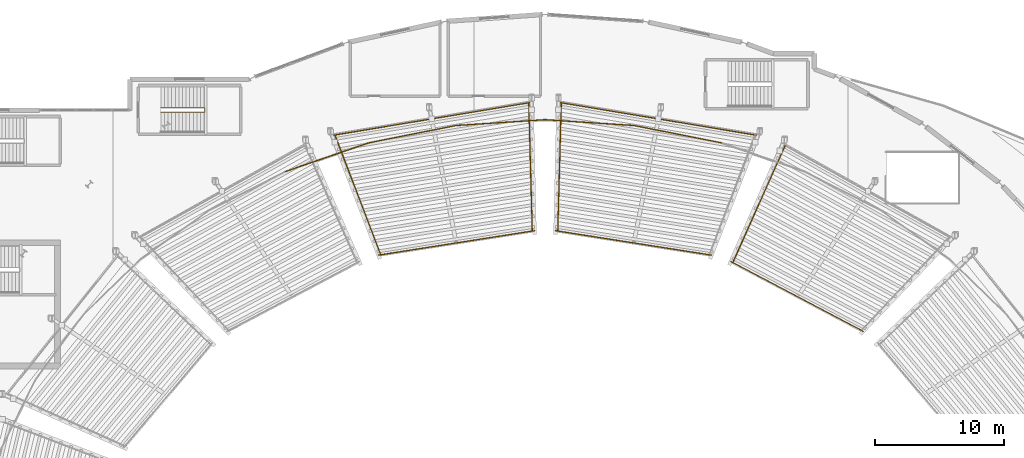
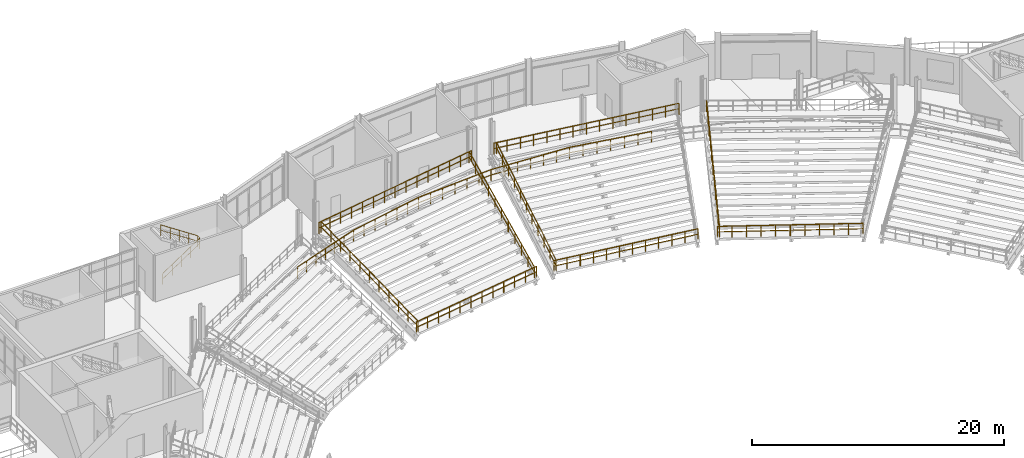
# One storey, part 77 of 81: 15 railings.
"""IFC4 building model written with IfcOpenShell, lengths in metres."""

from ifc_helpers import new_model, si_unit, direction, frame, origin, origin_2d, place, context, subcontext, project, spatial, circle, extrude, material, type_object, element, save


model = new_model("IFC4")

# Units and contexts
model_context = context("Model", 3, precision=1e-05, world=origin(), true_north=direction((0.0, 1.0)))
body_context = subcontext(model_context, "Body", "Model", "MODEL_VIEW")
ifc_project = project(units=[si_unit("LENGTHUNIT", "METRE"), si_unit("AREAUNIT", "SQUARE_METRE"), si_unit("VOLUMEUNIT", "CUBIC_METRE"), si_unit("PLANEANGLEUNIT", "RADIAN"), si_unit("MASSUNIT", "GRAM", prefix="KILO")], contexts=[model_context])

# Site, building, storey
site_placement = place(None, origin())
site = spatial("IfcSite", under=ifc_project, at=site_placement, CompositionType="ELEMENT")
building_placement = place(site_placement, origin())
building = spatial("IfcBuilding", under=site, at=building_placement, Name="Glasvene Arena", CompositionType="ELEMENT")
storey_placement = place(building_placement, frame((0.0, 0.0, 15.0)))
storey = spatial("IfcBuildingStorey", under=building, at=storey_placement, Name="L03", CompositionType="ELEMENT", Elevation=15.0)

# Railings
ifc_material = material(Name="Brushed stainless steel", Category="steel")
railing_type = type_object("IfcRailingType", Name="RL-GUARD-1100", PredefinedType="GUARDRAIL", material=ifc_material)
railing_1_placement = place(storey_placement, frame((62.199951171875, 110.409912109375, 0.0)))
element("IfcRailing", 1, at=railing_1_placement, inside=storey, type_object=railing_type, Name="Stair inner well continuous guardrail ST-10-L03", PredefinedType="GUARDRAIL", context=body_context, shape_type="SweptSolid", body=[
    extrude(circle(Radius=0.02392578125, at=origin_2d()), frame((0.0, 0.0, 1.076171875), z_axis=(0.833943147616, 0.0, 0.551850366082), x_axis=(0.0, 1.0, 0.0)), (0.0, 0.0, 1.0), 4.0771484375),
    extrude(circle(Radius=0.01611328125, at=origin_2d()), frame((0.0, 0.0, 0.550048828125), z_axis=(0.833943147616, 0.0, 0.551850366082), x_axis=(0.0, 1.0, 0.0)), (0.0, 0.0, 1.0), 4.0771484375),
    extrude(circle(Radius=0.02392578125, at=origin_2d()), frame((3.400146484375, 0.0, 3.326171875), z_axis=(0.0, 1.0, 0.0), x_axis=(-1.0, 0.0, 0.0)), (0.0, 0.0, 1.0), 0.330078125),
    extrude(circle(Radius=0.01611328125, at=origin_2d()), frame((3.400146484375, 0.0, 2.800048828125), z_axis=(0.0, 1.0, 0.0), x_axis=(-1.0, 0.0, 0.0)), (0.0, 0.0, 1.0), 0.330078125),
    extrude(circle(Radius=0.02392578125, at=origin_2d()), frame((3.400146484375, 0.330078125, 3.326171875), z_axis=(-0.833943147616, 0.0, 0.551850366082), x_axis=(0.0, -1.0, 0.0)), (0.0, 0.0, 1.0), 4.0771484375),
    extrude(circle(Radius=0.01611328125, at=origin_2d()), frame((3.400146484375, 0.330078125, 2.800048828125), z_axis=(-0.833943147616, 0.0, 0.551850366082), x_axis=(0.0, -1.0, 0.0)), (0.0, 0.0, 1.0), 4.0771484375),
    extrude(circle(Radius=0.02099609375, at=origin_2d()), origin(), (0.0, 0.0, 1.0), 1.052001953125),
    extrude(circle(Radius=0.02099609375, at=origin_2d()), frame((0.85009765625, 0.0, 0.5625)), (0.0, 0.0, 1.0), 1.052001953125),
    extrude(circle(Radius=0.02099609375, at=origin_2d()), frame((1.7001953125, 0.0, 1.125)), (0.0, 0.0, 1.0), 1.052001953125),
    extrude(circle(Radius=0.02099609375, at=origin_2d()), frame((2.550048828125, 0.0, 1.6875)), (0.0, 0.0, 1.0), 1.052001953125),
    extrude(circle(Radius=0.02099609375, at=origin_2d()), frame((3.400146484375, 0.0, 2.25)), (0.0, 0.0, 1.0), 1.052001953125),
    extrude(circle(Radius=0.02099609375, at=origin_2d()), frame((3.400146484375, 0.330078125, 2.25)), (0.0, 0.0, 1.0), 1.052001953125),
    extrude(circle(Radius=0.02099609375, at=origin_2d()), frame((2.550048828125, 0.330078125, 2.8125)), (0.0, 0.0, 1.0), 1.052001953125),
    extrude(circle(Radius=0.02099609375, at=origin_2d()), frame((1.7001953125, 0.330078125, 3.375)), (0.0, 0.0, 1.0), 1.052001953125),
    extrude(circle(Radius=0.02099609375, at=origin_2d()), frame((0.85009765625, 0.330078125, 3.9375)), (0.0, 0.0, 1.0), 1.052001953125),
    extrude(circle(Radius=0.02099609375, at=origin_2d()), frame((0.0, 0.330078125, 4.5)), (0.0, 0.0, 1.0), 1.052001953125),
])
railing_2_placement = place(storey_placement, frame((105.695556640625, 108.017822265625, 0.0)))
element("IfcRailing", 2, at=railing_2_placement, inside=storey, type_object=railing_type, Name="Safety guardrail GD-BWL-L03-009", PredefinedType="GUARDRAIL", context=body_context, shape_type="SweptSolid", body=[
    extrude(circle(Radius=0.02392578125, at=origin_2d()), frame((0.0, 0.0, 1.076171875), z_axis=(-0.980681314144, 0.19561226978, 0.0), x_axis=(-0.19561226978, -0.980681314144, 0.0)), (0.0, 0.0, 1.0), 6.895751953125),
    extrude(circle(Radius=0.01611328125, at=origin_2d()), frame((0.0, 0.0, 0.550048828125), z_axis=(-0.980681314144, 0.19561226978, 0.0), x_axis=(-0.19561226978, -0.980681314144, 0.0)), (0.0, 0.0, 1.0), 6.895751953125),
    extrude(circle(Radius=0.02099609375, at=origin_2d()), origin(), (0.0, 0.0, 1.0), 1.052001953125),
    extrude(circle(Radius=0.02099609375, at=origin_2d()), frame((-1.126953125, 0.224853515625, 0.0)), (0.0, 0.0, 1.0), 1.052001953125),
    extrude(circle(Radius=0.02099609375, at=origin_2d()), frame((-2.254150390625, 0.44970703125, 0.0)), (0.0, 0.0, 1.0), 1.052001953125),
    extrude(circle(Radius=0.02099609375, at=origin_2d()), frame((-3.38134765625, 0.67431640625, 0.0)), (0.0, 0.0, 1.0), 1.052001953125),
    extrude(circle(Radius=0.02099609375, at=origin_2d()), frame((-4.50830078125, 0.899169921875, 0.0)), (0.0, 0.0, 1.0), 1.052001953125),
    extrude(circle(Radius=0.02099609375, at=origin_2d()), frame((-5.63525390625, 1.1240234375, 0.0)), (0.0, 0.0, 1.0), 1.052001953125),
    extrude(circle(Radius=0.02099609375, at=origin_2d()), frame((-6.762451171875, 1.348876953125, 0.0)), (0.0, 0.0, 1.0), 1.052001953125),
])
railing_3_placement = place(storey_placement, frame((98.93310546875, 109.36669921875, 0.0)))
element("IfcRailing", 3, at=railing_3_placement, inside=storey, type_object=railing_type, Name="Safety guardrail GD-BWL-L03-010", PredefinedType="GUARDRAIL", context=body_context, shape_type="SweptSolid", body=[
    extrude(circle(Radius=0.02392578125, at=origin_2d()), frame((0.0, 0.0, 1.076171875), z_axis=(-0.997868780368, 0.065252564446, 0.0), x_axis=(-0.065252564446, -0.997868780368, 0.0)), (0.0, 0.0, 1.0), 6.947998046875),
    extrude(circle(Radius=0.01611328125, at=origin_2d()), frame((0.0, 0.0, 0.550048828125), z_axis=(-0.997868780368, 0.065252564446, 0.0), x_axis=(-0.065252564446, -0.997868780368, 0.0)), (0.0, 0.0, 1.0), 6.947998046875),
    extrude(circle(Radius=0.02099609375, at=origin_2d()), origin(), (0.0, 0.0, 1.0), 1.052001953125),
    extrude(circle(Radius=0.02099609375, at=origin_2d()), frame((-1.155517578125, 0.07568359375, 0.0)), (0.0, 0.0, 1.0), 1.052001953125),
    extrude(circle(Radius=0.02099609375, at=origin_2d()), frame((-2.31103515625, 0.151123046875, 0.0)), (0.0, 0.0, 1.0), 1.052001953125),
    extrude(circle(Radius=0.02099609375, at=origin_2d()), frame((-3.466552734375, 0.2265625, 0.0)), (0.0, 0.0, 1.0), 1.052001953125),
    extrude(circle(Radius=0.02099609375, at=origin_2d()), frame((-4.6220703125, 0.30224609375, 0.0)), (0.0, 0.0, 1.0), 1.052001953125),
    extrude(circle(Radius=0.02099609375, at=origin_2d()), frame((-5.777587890625, 0.3779296875, 0.0)), (0.0, 0.0, 1.0), 1.052001953125),
    extrude(circle(Radius=0.02099609375, at=origin_2d()), frame((-6.93310546875, 0.453369140625, 0.0)), (0.0, 0.0, 1.0), 1.052001953125),
])
railing_4_placement = place(storey_placement, frame((92.0, 109.820068359375, 0.0)))
element("IfcRailing", 4, at=railing_4_placement, inside=storey, type_object=railing_type, Name="Safety guardrail GD-BWL-L03-011", PredefinedType="GUARDRAIL", context=body_context, shape_type="SweptSolid", body=[
    extrude(circle(Radius=0.02392578125, at=origin_2d()), frame((0.0, 0.0, 1.076171875), z_axis=(-0.997868780368, -0.065252564446, 0.0), x_axis=(0.065252564446, -0.997868780368, 0.0)), (0.0, 0.0, 1.0), 6.947998046875),
    extrude(circle(Radius=0.01611328125, at=origin_2d()), frame((0.0, 0.0, 0.550048828125), z_axis=(-0.997868780368, -0.065252564446, 0.0), x_axis=(0.065252564446, -0.997868780368, 0.0)), (0.0, 0.0, 1.0), 6.947998046875),
    extrude(circle(Radius=0.02099609375, at=origin_2d()), origin(), (0.0, 0.0, 1.0), 1.052001953125),
    extrude(circle(Radius=0.02099609375, at=origin_2d()), frame((-1.155517578125, -0.07568359375, 0.0)), (0.0, 0.0, 1.0), 1.052001953125),
    extrude(circle(Radius=0.02099609375, at=origin_2d()), frame((-2.31103515625, -0.151123046875, 0.0)), (0.0, 0.0, 1.0), 1.052001953125),
    extrude(circle(Radius=0.02099609375, at=origin_2d()), frame((-3.466552734375, -0.2265625, 0.0)), (0.0, 0.0, 1.0), 1.052001953125),
    extrude(circle(Radius=0.02099609375, at=origin_2d()), frame((-4.6220703125, -0.30224609375, 0.0)), (0.0, 0.0, 1.0), 1.052001953125),
    extrude(circle(Radius=0.02099609375, at=origin_2d()), frame((-5.777587890625, -0.3779296875, 0.0)), (0.0, 0.0, 1.0), 1.052001953125),
    extrude(circle(Radius=0.02099609375, at=origin_2d()), frame((-6.93310546875, -0.453369140625, 0.0)), (0.0, 0.0, 1.0), 1.052001953125),
])
railing_5_placement = place(storey_placement, frame((85.06689453125, 109.36669921875, 0.0)))
element("IfcRailing", 5, at=railing_5_placement, inside=storey, type_object=railing_type, Name="Safety guardrail GD-BWL-L03-012", PredefinedType="GUARDRAIL", context=body_context, shape_type="SweptSolid", body=[
    extrude(circle(Radius=0.02392578125, at=origin_2d()), frame((0.0, 0.0, 1.076171875), z_axis=(-0.980681314144, -0.19561226978, 0.0), x_axis=(0.19561226978, -0.980681314144, 0.0)), (0.0, 0.0, 1.0), 6.895751953125),
    extrude(circle(Radius=0.01611328125, at=origin_2d()), frame((0.0, 0.0, 0.550048828125), z_axis=(-0.980681314144, -0.19561226978, 0.0), x_axis=(0.19561226978, -0.980681314144, 0.0)), (0.0, 0.0, 1.0), 6.895751953125),
    extrude(circle(Radius=0.02099609375, at=origin_2d()), origin(), (0.0, 0.0, 1.0), 1.052001953125),
    extrude(circle(Radius=0.02099609375, at=origin_2d()), frame((-1.126953125, -0.224853515625, 0.0)), (0.0, 0.0, 1.0), 1.052001953125),
    extrude(circle(Radius=0.02099609375, at=origin_2d()), frame((-2.254150390625, -0.44970703125, 0.0)), (0.0, 0.0, 1.0), 1.052001953125),
    extrude(circle(Radius=0.02099609375, at=origin_2d()), frame((-3.38134765625, -0.67431640625, 0.0)), (0.0, 0.0, 1.0), 1.052001953125),
    extrude(circle(Radius=0.02099609375, at=origin_2d()), frame((-4.50830078125, -0.899169921875, 0.0)), (0.0, 0.0, 1.0), 1.052001953125),
    extrude(circle(Radius=0.02099609375, at=origin_2d()), frame((-5.63525390625, -1.1240234375, 0.0)), (0.0, 0.0, 1.0), 1.052001953125),
    extrude(circle(Radius=0.02099609375, at=origin_2d()), frame((-6.762451171875, -1.348876953125, 0.0)), (0.0, 0.0, 1.0), 1.052001953125),
])
railing_6_placement = place(storey_placement, frame((78.304443359375, 108.017822265625, 0.0)))
element("IfcRailing", 6, at=railing_6_placement, inside=storey, type_object=railing_type, Name="Safety guardrail GD-BWL-L03-013", PredefinedType="GUARDRAIL", context=body_context, shape_type="SweptSolid", body=[
    extrude(circle(Radius=0.02392578125, at=origin_2d()), frame((0.0, 0.0, 1.076171875), z_axis=(-0.945585072806, -0.325374968437, 0.0), x_axis=(0.325374968437, -0.945585072806, 0.0)), (0.0, 0.0, 1.0), 6.795166015625),
    extrude(circle(Radius=0.01611328125, at=origin_2d()), frame((0.0, 0.0, 0.550048828125), z_axis=(-0.945585072806, -0.325374968437, 0.0), x_axis=(0.325374968437, -0.945585072806, 0.0)), (0.0, 0.0, 1.0), 6.795166015625),
    extrude(circle(Radius=0.02099609375, at=origin_2d()), origin(), (0.0, 0.0, 1.0), 1.052001953125),
    extrude(circle(Radius=0.02099609375, at=origin_2d()), frame((-1.07080078125, -0.368408203125, 0.0)), (0.0, 0.0, 1.0), 1.052001953125),
    extrude(circle(Radius=0.02099609375, at=origin_2d()), frame((-2.141845703125, -0.737060546875, 0.0)), (0.0, 0.0, 1.0), 1.052001953125),
    extrude(circle(Radius=0.02099609375, at=origin_2d()), frame((-3.212646484375, -1.10546875, 0.0)), (0.0, 0.0, 1.0), 1.052001953125),
    extrude(circle(Radius=0.02099609375, at=origin_2d()), frame((-4.283447265625, -1.473876953125, 0.0)), (0.0, 0.0, 1.0), 1.052001953125),
    extrude(circle(Radius=0.02099609375, at=origin_2d()), frame((-5.3544921875, -1.842529296875, 0.0)), (0.0, 0.0, 1.0), 1.052001953125),
    extrude(circle(Radius=0.02099609375, at=origin_2d()), frame((-6.42529296875, -2.2109375, 0.0)), (0.0, 0.0, 1.0), 1.052001953125),
])
railing_7_placement = place(storey_placement, frame((116.67822265625, 93.402099609375, -3.89990234375)))
element("IfcRailing", 7, at=railing_7_placement, inside=storey, type_object=railing_type, Name="Safety guardrail GD-TU-UF-03-001", PredefinedType="GUARDRAIL", context=body_context, shape_type="SweptSolid", body=[
    extrude(circle(Radius=0.02392578125, at=origin_2d()), frame((0.0, 0.0, 1.076171875), z_axis=(-0.884339402023, 0.466844537324, 0.0), x_axis=(-0.466844537324, -0.884339402023, 0.0)), (0.0, 0.0, 1.0), 11.60595703125),
    extrude(circle(Radius=0.01611328125, at=origin_2d()), frame((0.0, 0.0, 0.550048828125), z_axis=(-0.884339402023, 0.466844537324, 0.0), x_axis=(-0.466844537324, -0.884339402023, 0.0)), (0.0, 0.0, 1.0), 11.60595703125),
    extrude(circle(Radius=0.02099609375, at=origin_2d()), origin(), (0.0, 0.0, 1.0), 1.052001953125),
    extrude(circle(Radius=0.02099609375, at=origin_2d()), frame((-1.0263671875, 0.541748046875, 0.0)), (0.0, 0.0, 1.0), 1.052001953125),
    extrude(circle(Radius=0.02099609375, at=origin_2d()), frame((-2.052734375, 1.083740234375, 0.0)), (0.0, 0.0, 1.0), 1.052001953125),
    extrude(circle(Radius=0.02099609375, at=origin_2d()), frame((-3.0791015625, 1.62548828125, 0.0)), (0.0, 0.0, 1.0), 1.052001953125),
    extrude(circle(Radius=0.02099609375, at=origin_2d()), frame((-4.10546875, 2.167236328125, 0.0)), (0.0, 0.0, 1.0), 1.052001953125),
    extrude(circle(Radius=0.02099609375, at=origin_2d()), frame((-5.1318359375, 2.708984375, 0.0)), (0.0, 0.0, 1.0), 1.052001953125),
    extrude(circle(Radius=0.02099609375, at=origin_2d()), frame((-6.158203125, 3.2509765625, 0.0)), (0.0, 0.0, 1.0), 1.052001953125),
    extrude(circle(Radius=0.02099609375, at=origin_2d()), frame((-7.1845703125, 3.792724609375, 0.0)), (0.0, 0.0, 1.0), 1.052001953125),
    extrude(circle(Radius=0.02099609375, at=origin_2d()), frame((-8.2109375, 4.33447265625, 0.0)), (0.0, 0.0, 1.0), 1.052001953125),
    extrude(circle(Radius=0.02099609375, at=origin_2d()), frame((-9.2373046875, 4.87646484375, 0.0)), (0.0, 0.0, 1.0), 1.052001953125),
    extrude(circle(Radius=0.02099609375, at=origin_2d()), frame((-10.263671875, 5.418212890625, 0.0)), (0.0, 0.0, 1.0), 1.052001953125),
])
railing_8_placement = place(storey_placement, frame((106.590087890625, 98.790283203125, -3.89990234375)))
element("IfcRailing", 8, at=railing_8_placement, inside=storey, type_object=railing_type, Name="Upper tier radial aisle guard 03-2", PredefinedType="GUARDRAIL", context=body_context, shape_type="SweptSolid", body=[
    extrude(circle(Radius=0.02392578125, at=origin_2d()), frame((0.0, 0.0, 1.076171875), z_axis=(0.36011745781, 0.805531618618, 0.470567984447), x_axis=(-0.912924660078, 0.408128123292, 0.0)), (0.0, 0.0, 1.0), 11.219970703125),
    extrude(circle(Radius=0.01611328125, at=origin_2d()), frame((0.0, 0.0, 0.550048828125), z_axis=(0.36011745781, 0.805531618618, 0.470567984447), x_axis=(-0.912924660078, 0.408128123292, 0.0)), (0.0, 0.0, 1.0), 11.219970703125),
    extrude(circle(Radius=0.02099609375, at=origin_2d()), origin(), (0.0, 0.0, 1.0), 1.052001953125),
    extrude(circle(Radius=0.02099609375, at=origin_2d()), frame((0.404052734375, 0.90380859375, 0.528076171875)), (0.0, 0.0, 1.0), 1.052001953125),
    extrude(circle(Radius=0.02099609375, at=origin_2d()), frame((0.80810546875, 1.8076171875, 1.055908203125)), (0.0, 0.0, 1.0), 1.052001953125),
    extrude(circle(Radius=0.02099609375, at=origin_2d()), frame((1.212158203125, 2.71142578125, 1.583984375)), (0.0, 0.0, 1.0), 1.052001953125),
    extrude(circle(Radius=0.02099609375, at=origin_2d()), frame((1.6162109375, 3.615234375, 2.11181640625)), (0.0, 0.0, 1.0), 1.052001953125),
    extrude(circle(Radius=0.02099609375, at=origin_2d()), frame((2.020263671875, 4.51904296875, 2.639892578125)), (0.0, 0.0, 1.0), 1.052001953125),
    extrude(circle(Radius=0.02099609375, at=origin_2d()), frame((2.42431640625, 5.4228515625, 3.16796875)), (0.0, 0.0, 1.0), 1.052001953125),
    extrude(circle(Radius=0.02099609375, at=origin_2d()), frame((2.828369140625, 6.32666015625, 3.69580078125)), (0.0, 0.0, 1.0), 1.052001953125),
    extrude(circle(Radius=0.02099609375, at=origin_2d()), frame((3.232421875, 7.23046875, 4.223876953125)), (0.0, 0.0, 1.0), 1.052001953125),
    extrude(circle(Radius=0.02099609375, at=origin_2d()), frame((3.636474609375, 8.13427734375, 4.751708984375)), (0.0, 0.0, 1.0), 1.052001953125),
    extrude(circle(Radius=0.02099609375, at=origin_2d()), frame((4.04052734375, 9.0380859375, 5.27978515625)), (0.0, 0.0, 1.0), 1.052001953125),
])
railing_9_placement = place(storey_placement, frame((104.917236328125, 99.310302734375, -3.89990234375)))
element("IfcRailing", 9, at=railing_9_placement, inside=storey, type_object=railing_type, Name="Safety guardrail GD-TU-UF-04-001", PredefinedType="GUARDRAIL", context=body_context, shape_type="SweptSolid", body=[
    extrude(circle(Radius=0.02392578125, at=origin_2d()), frame((0.0, 0.0, 1.076171875), z_axis=(-0.987879307445, 0.155223947643, 0.0), x_axis=(-0.155223947643, -0.987879307445, 0.0)), (0.0, 0.0, 1.0), 12.25537109375),
    extrude(circle(Radius=0.01611328125, at=origin_2d()), frame((0.0, 0.0, 0.550048828125), z_axis=(-0.987879307445, 0.155223947643, 0.0), x_axis=(-0.155223947643, -0.987879307445, 0.0)), (0.0, 0.0, 1.0), 12.25537109375),
    extrude(circle(Radius=0.02099609375, at=origin_2d()), origin(), (0.0, 0.0, 1.0), 1.052001953125),
    extrude(circle(Radius=0.02099609375, at=origin_2d()), frame((-1.1005859375, 0.1728515625, 0.0)), (0.0, 0.0, 1.0), 1.052001953125),
    extrude(circle(Radius=0.02099609375, at=origin_2d()), frame((-2.201171875, 0.345947265625, 0.0)), (0.0, 0.0, 1.0), 1.052001953125),
    extrude(circle(Radius=0.02099609375, at=origin_2d()), frame((-3.302001953125, 0.518798828125, 0.0)), (0.0, 0.0, 1.0), 1.052001953125),
    extrude(circle(Radius=0.02099609375, at=origin_2d()), frame((-4.402587890625, 0.691650390625, 0.0)), (0.0, 0.0, 1.0), 1.052001953125),
    extrude(circle(Radius=0.02099609375, at=origin_2d()), frame((-5.503173828125, 0.86474609375, 0.0)), (0.0, 0.0, 1.0), 1.052001953125),
    extrude(circle(Radius=0.02099609375, at=origin_2d()), frame((-6.603759765625, 1.03759765625, 0.0)), (0.0, 0.0, 1.0), 1.052001953125),
    extrude(circle(Radius=0.02099609375, at=origin_2d()), frame((-7.704345703125, 1.210693359375, 0.0)), (0.0, 0.0, 1.0), 1.052001953125),
    extrude(circle(Radius=0.02099609375, at=origin_2d()), frame((-8.804931640625, 1.383544921875, 0.0)), (0.0, 0.0, 1.0), 1.052001953125),
    extrude(circle(Radius=0.02099609375, at=origin_2d()), frame((-9.90576171875, 1.556396484375, 0.0)), (0.0, 0.0, 1.0), 1.052001953125),
    extrude(circle(Radius=0.02099609375, at=origin_2d()), frame((-11.00634765625, 1.7294921875, 0.0)), (0.0, 0.0, 1.0), 1.052001953125),
    extrude(circle(Radius=0.02099609375, at=origin_2d()), frame((-12.10693359375, 1.90234375, 0.0)), (0.0, 0.0, 1.0), 1.052001953125),
])
railing_10_placement = place(storey_placement, frame((108.51904296875, 108.59619140625, 1.3798828125)))
element("IfcRailing", 10, at=railing_10_placement, inside=storey, type_object=railing_type, Name="Safety guardrail GD-TU-UR-04-001", PredefinedType="GUARDRAIL", context=body_context, shape_type="SweptSolid", body=[
    extrude(circle(Radius=0.02392578125, at=origin_2d()), frame((0.0, 0.0, 1.076171875), z_axis=(-0.98646068738, 0.163997903197, 0.0), x_axis=(-0.163997903197, -0.98646068738, 0.0)), (0.0, 0.0, 1.0), 15.695068359375),
    extrude(circle(Radius=0.01611328125, at=origin_2d()), frame((0.0, 0.0, 0.550048828125), z_axis=(-0.98646068738, 0.163997903197, 0.0), x_axis=(-0.163997903197, -0.98646068738, 0.0)), (0.0, 0.0, 1.0), 15.695068359375),
    extrude(circle(Radius=0.02099609375, at=origin_2d()), origin(), (0.0, 0.0, 1.0), 1.052001953125),
    extrude(circle(Radius=0.02099609375, at=origin_2d()), frame((-1.10595703125, 0.183837890625, 0.0)), (0.0, 0.0, 1.0), 1.052001953125),
    extrude(circle(Radius=0.02099609375, at=origin_2d()), frame((-2.2119140625, 0.36767578125, 0.0)), (0.0, 0.0, 1.0), 1.052001953125),
    extrude(circle(Radius=0.02099609375, at=origin_2d()), frame((-3.317626953125, 0.551513671875, 0.0)), (0.0, 0.0, 1.0), 1.052001953125),
    extrude(circle(Radius=0.02099609375, at=origin_2d()), frame((-4.423583984375, 0.7353515625, 0.0)), (0.0, 0.0, 1.0), 1.052001953125),
    extrude(circle(Radius=0.02099609375, at=origin_2d()), frame((-5.529541015625, 0.919189453125, 0.0)), (0.0, 0.0, 1.0), 1.052001953125),
    extrude(circle(Radius=0.02099609375, at=origin_2d()), frame((-6.635498046875, 1.10302734375, 0.0)), (0.0, 0.0, 1.0), 1.052001953125),
    extrude(circle(Radius=0.02099609375, at=origin_2d()), frame((-7.7412109375, 1.287109375, 0.0)), (0.0, 0.0, 1.0), 1.052001953125),
    extrude(circle(Radius=0.02099609375, at=origin_2d()), frame((-8.84716796875, 1.470947265625, 0.0)), (0.0, 0.0, 1.0), 1.052001953125),
    extrude(circle(Radius=0.02099609375, at=origin_2d()), frame((-9.953125, 1.65478515625, 0.0)), (0.0, 0.0, 1.0), 1.052001953125),
    extrude(circle(Radius=0.02099609375, at=origin_2d()), frame((-11.05908203125, 1.838623046875, 0.0)), (0.0, 0.0, 1.0), 1.052001953125),
    extrude(circle(Radius=0.02099609375, at=origin_2d()), frame((-12.1650390625, 2.0224609375, 0.0)), (0.0, 0.0, 1.0), 1.052001953125),
    extrude(circle(Radius=0.02099609375, at=origin_2d()), frame((-13.270751953125, 2.206298828125, 0.0)), (0.0, 0.0, 1.0), 1.052001953125),
    extrude(circle(Radius=0.02099609375, at=origin_2d()), frame((-14.376708984375, 2.39013671875, 0.0)), (0.0, 0.0, 1.0), 1.052001953125),
    extrude(circle(Radius=0.02099609375, at=origin_2d()), frame((-15.482666015625, 2.573974609375, 0.0)), (0.0, 0.0, 1.0), 1.052001953125),
])
railing_11_placement = place(storey_placement, frame((92.98974609375, 101.2392578125, -3.89990234375)))
element("IfcRailing", 11, at=railing_11_placement, inside=storey, type_object=railing_type, Name="Upper tier radial aisle guard 04-2", PredefinedType="GUARDRAIL", context=body_context, shape_type="SweptSolid", body=[
    extrude(circle(Radius=0.02392578125, at=origin_2d()), frame((0.0, 0.0, 1.076171875), z_axis=(0.024435970289, 0.882023201836, 0.470571944317), x_axis=(-0.99961645242, 0.027693826966, 0.0)), (0.0, 0.0, 1.0), 11.219970703125),
    extrude(circle(Radius=0.01611328125, at=origin_2d()), frame((0.0, 0.0, 0.550048828125), z_axis=(0.024435970289, 0.882023201836, 0.470571944317), x_axis=(-0.99961645242, 0.027693826966, 0.0)), (0.0, 0.0, 1.0), 11.219970703125),
    extrude(circle(Radius=0.02099609375, at=origin_2d()), origin(), (0.0, 0.0, 1.0), 1.052001953125),
    extrude(circle(Radius=0.02099609375, at=origin_2d()), frame((0.02734375, 0.98974609375, 0.528076171875)), (0.0, 0.0, 1.0), 1.052001953125),
    extrude(circle(Radius=0.02099609375, at=origin_2d()), frame((0.054931640625, 1.979248046875, 1.055908203125)), (0.0, 0.0, 1.0), 1.052001953125),
    extrude(circle(Radius=0.02099609375, at=origin_2d()), frame((0.082275390625, 2.96875, 1.583984375)), (0.0, 0.0, 1.0), 1.052001953125),
    extrude(circle(Radius=0.02099609375, at=origin_2d()), frame((0.109619140625, 3.95849609375, 2.11181640625)), (0.0, 0.0, 1.0), 1.052001953125),
    extrude(circle(Radius=0.02099609375, at=origin_2d()), frame((0.13720703125, 4.9482421875, 2.639892578125)), (0.0, 0.0, 1.0), 1.052001953125),
    extrude(circle(Radius=0.02099609375, at=origin_2d()), frame((0.16455078125, 5.937744140625, 3.16796875)), (0.0, 0.0, 1.0), 1.052001953125),
    extrude(circle(Radius=0.02099609375, at=origin_2d()), frame((0.19189453125, 6.92724609375, 3.69580078125)), (0.0, 0.0, 1.0), 1.052001953125),
    extrude(circle(Radius=0.02099609375, at=origin_2d()), frame((0.21923828125, 7.9169921875, 4.223876953125)), (0.0, 0.0, 1.0), 1.052001953125),
    extrude(circle(Radius=0.02099609375, at=origin_2d()), frame((0.246826171875, 8.90673828125, 4.751708984375)), (0.0, 0.0, 1.0), 1.052001953125),
    extrude(circle(Radius=0.02099609375, at=origin_2d()), frame((0.274169921875, 9.896240234375, 5.27978515625)), (0.0, 0.0, 1.0), 1.052001953125),
])
railing_12_placement = place(storey_placement, frame((91.189697265625, 101.212646484375, -3.89990234375)))
element("IfcRailing", 12, at=railing_12_placement, inside=storey, type_object=railing_type, Name="Safety guardrail GD-TU-UF-05-001", PredefinedType="GUARDRAIL", context=body_context, shape_type="SweptSolid", body=[
    extrude(circle(Radius=0.02392578125, at=origin_2d()), frame((0.0, 0.0, 1.076171875), z_axis=(-0.987879307445, -0.155223947643, 0.0), x_axis=(0.155223947643, -0.987879307445, 0.0)), (0.0, 0.0, 1.0), 12.25537109375),
    extrude(circle(Radius=0.01611328125, at=origin_2d()), frame((0.0, 0.0, 0.550048828125), z_axis=(-0.987879307445, -0.155223947643, 0.0), x_axis=(0.155223947643, -0.987879307445, 0.0)), (0.0, 0.0, 1.0), 12.25537109375),
    extrude(circle(Radius=0.02099609375, at=origin_2d()), origin(), (0.0, 0.0, 1.0), 1.052001953125),
    extrude(circle(Radius=0.02099609375, at=origin_2d()), frame((-1.1005859375, -0.1728515625, 0.0)), (0.0, 0.0, 1.0), 1.052001953125),
    extrude(circle(Radius=0.02099609375, at=origin_2d()), frame((-2.201171875, -0.345947265625, 0.0)), (0.0, 0.0, 1.0), 1.052001953125),
    extrude(circle(Radius=0.02099609375, at=origin_2d()), frame((-3.302001953125, -0.518798828125, 0.0)), (0.0, 0.0, 1.0), 1.052001953125),
    extrude(circle(Radius=0.02099609375, at=origin_2d()), frame((-4.402587890625, -0.691650390625, 0.0)), (0.0, 0.0, 1.0), 1.052001953125),
    extrude(circle(Radius=0.02099609375, at=origin_2d()), frame((-5.503173828125, -0.86474609375, 0.0)), (0.0, 0.0, 1.0), 1.052001953125),
    extrude(circle(Radius=0.02099609375, at=origin_2d()), frame((-6.603759765625, -1.03759765625, 0.0)), (0.0, 0.0, 1.0), 1.052001953125),
    extrude(circle(Radius=0.02099609375, at=origin_2d()), frame((-7.704345703125, -1.210693359375, 0.0)), (0.0, 0.0, 1.0), 1.052001953125),
    extrude(circle(Radius=0.02099609375, at=origin_2d()), frame((-8.804931640625, -1.383544921875, 0.0)), (0.0, 0.0, 1.0), 1.052001953125),
    extrude(circle(Radius=0.02099609375, at=origin_2d()), frame((-9.90576171875, -1.556396484375, 0.0)), (0.0, 0.0, 1.0), 1.052001953125),
    extrude(circle(Radius=0.02099609375, at=origin_2d()), frame((-11.00634765625, -1.7294921875, 0.0)), (0.0, 0.0, 1.0), 1.052001953125),
    extrude(circle(Radius=0.02099609375, at=origin_2d()), frame((-12.10693359375, -1.90234375, 0.0)), (0.0, 0.0, 1.0), 1.052001953125),
])
railing_13_placement = place(storey_placement, frame((90.963623046875, 111.170166015625, 1.3798828125)))
element("IfcRailing", 13, at=railing_13_placement, inside=storey, type_object=railing_type, Name="Safety guardrail GD-TU-UR-05-001", PredefinedType="GUARDRAIL", context=body_context, shape_type="SweptSolid", body=[
    extrude(circle(Radius=0.02392578125, at=origin_2d()), frame((0.0, 0.0, 1.076171875), z_axis=(-0.98646068738, -0.163997903197, 0.0), x_axis=(0.163997903197, -0.98646068738, 0.0)), (0.0, 0.0, 1.0), 15.695068359375),
    extrude(circle(Radius=0.01611328125, at=origin_2d()), frame((0.0, 0.0, 0.550048828125), z_axis=(-0.98646068738, -0.163997903197, 0.0), x_axis=(0.163997903197, -0.98646068738, 0.0)), (0.0, 0.0, 1.0), 15.695068359375),
    extrude(circle(Radius=0.02099609375, at=origin_2d()), origin(), (0.0, 0.0, 1.0), 1.052001953125),
    extrude(circle(Radius=0.02099609375, at=origin_2d()), frame((-1.10595703125, -0.183837890625, 0.0)), (0.0, 0.0, 1.0), 1.052001953125),
    extrude(circle(Radius=0.02099609375, at=origin_2d()), frame((-2.2119140625, -0.36767578125, 0.0)), (0.0, 0.0, 1.0), 1.052001953125),
    extrude(circle(Radius=0.02099609375, at=origin_2d()), frame((-3.317626953125, -0.551513671875, 0.0)), (0.0, 0.0, 1.0), 1.052001953125),
    extrude(circle(Radius=0.02099609375, at=origin_2d()), frame((-4.423583984375, -0.7353515625, 0.0)), (0.0, 0.0, 1.0), 1.052001953125),
    extrude(circle(Radius=0.02099609375, at=origin_2d()), frame((-5.529541015625, -0.919189453125, 0.0)), (0.0, 0.0, 1.0), 1.052001953125),
    extrude(circle(Radius=0.02099609375, at=origin_2d()), frame((-6.635498046875, -1.10302734375, 0.0)), (0.0, 0.0, 1.0), 1.052001953125),
    extrude(circle(Radius=0.02099609375, at=origin_2d()), frame((-7.7412109375, -1.287109375, 0.0)), (0.0, 0.0, 1.0), 1.052001953125),
    extrude(circle(Radius=0.02099609375, at=origin_2d()), frame((-8.84716796875, -1.470947265625, 0.0)), (0.0, 0.0, 1.0), 1.052001953125),
    extrude(circle(Radius=0.02099609375, at=origin_2d()), frame((-9.953125, -1.65478515625, 0.0)), (0.0, 0.0, 1.0), 1.052001953125),
    extrude(circle(Radius=0.02099609375, at=origin_2d()), frame((-11.05908203125, -1.838623046875, 0.0)), (0.0, 0.0, 1.0), 1.052001953125),
    extrude(circle(Radius=0.02099609375, at=origin_2d()), frame((-12.1650390625, -2.0224609375, 0.0)), (0.0, 0.0, 1.0), 1.052001953125),
    extrude(circle(Radius=0.02099609375, at=origin_2d()), frame((-13.270751953125, -2.206298828125, 0.0)), (0.0, 0.0, 1.0), 1.052001953125),
    extrude(circle(Radius=0.02099609375, at=origin_2d()), frame((-14.376708984375, -2.39013671875, 0.0)), (0.0, 0.0, 1.0), 1.052001953125),
    extrude(circle(Radius=0.02099609375, at=origin_2d()), frame((-15.482666015625, -2.573974609375, 0.0)), (0.0, 0.0, 1.0), 1.052001953125),
])
railing_14_placement = place(storey_placement, frame((91.01025390625, 101.2392578125, -3.89990234375)))
element("IfcRailing", 14, at=railing_14_placement, inside=storey, type_object=railing_type, Name="Upper tier radial aisle guard 05-1", PredefinedType="GUARDRAIL", context=body_context, shape_type="SweptSolid", body=[
    extrude(circle(Radius=0.02392578125, at=origin_2d()), frame((0.0, 0.0, 1.076171875), z_axis=(-0.024435970289, 0.882023201836, 0.470571944317), x_axis=(-0.99961645242, -0.027693826966, 0.0)), (0.0, 0.0, 1.0), 11.219970703125),
    extrude(circle(Radius=0.01611328125, at=origin_2d()), frame((0.0, 0.0, 0.550048828125), z_axis=(-0.024435970289, 0.882023201836, 0.470571944317), x_axis=(-0.99961645242, -0.027693826966, 0.0)), (0.0, 0.0, 1.0), 11.219970703125),
    extrude(circle(Radius=0.02099609375, at=origin_2d()), origin(), (0.0, 0.0, 1.0), 1.052001953125),
    extrude(circle(Radius=0.02099609375, at=origin_2d()), frame((-0.02734375, 0.98974609375, 0.528076171875)), (0.0, 0.0, 1.0), 1.052001953125),
    extrude(circle(Radius=0.02099609375, at=origin_2d()), frame((-0.054931640625, 1.979248046875, 1.055908203125)), (0.0, 0.0, 1.0), 1.052001953125),
    extrude(circle(Radius=0.02099609375, at=origin_2d()), frame((-0.082275390625, 2.96875, 1.583984375)), (0.0, 0.0, 1.0), 1.052001953125),
    extrude(circle(Radius=0.02099609375, at=origin_2d()), frame((-0.109619140625, 3.95849609375, 2.11181640625)), (0.0, 0.0, 1.0), 1.052001953125),
    extrude(circle(Radius=0.02099609375, at=origin_2d()), frame((-0.13720703125, 4.9482421875, 2.639892578125)), (0.0, 0.0, 1.0), 1.052001953125),
    extrude(circle(Radius=0.02099609375, at=origin_2d()), frame((-0.16455078125, 5.937744140625, 3.16796875)), (0.0, 0.0, 1.0), 1.052001953125),
    extrude(circle(Radius=0.02099609375, at=origin_2d()), frame((-0.19189453125, 6.92724609375, 3.69580078125)), (0.0, 0.0, 1.0), 1.052001953125),
    extrude(circle(Radius=0.02099609375, at=origin_2d()), frame((-0.21923828125, 7.9169921875, 4.223876953125)), (0.0, 0.0, 1.0), 1.052001953125),
    extrude(circle(Radius=0.02099609375, at=origin_2d()), frame((-0.246826171875, 8.90673828125, 4.751708984375)), (0.0, 0.0, 1.0), 1.052001953125),
    extrude(circle(Radius=0.02099609375, at=origin_2d()), frame((-0.274169921875, 9.896240234375, 5.27978515625)), (0.0, 0.0, 1.0), 1.052001953125),
])
railing_15_placement = place(storey_placement, frame((79.23876953125, 99.388916015625, -3.89990234375)))
element("IfcRailing", 15, at=railing_15_placement, inside=storey, type_object=railing_type, Name="Upper tier radial aisle guard 05-2", PredefinedType="GUARDRAIL", context=body_context, shape_type="SweptSolid", body=[
    extrude(circle(Radius=0.02392578125, at=origin_2d()), frame((0.0, 0.0, 1.076171875), z_axis=(-0.314969660296, 0.824230449904, 0.470572288329), x_axis=(-0.934118839399, -0.3569621743, 0.0)), (0.0, 0.0, 1.0), 11.219970703125),
    extrude(circle(Radius=0.01611328125, at=origin_2d()), frame((0.0, 0.0, 0.550048828125), z_axis=(-0.314969660296, 0.824230449904, 0.470572288329), x_axis=(-0.934118839399, -0.3569621743, 0.0)), (0.0, 0.0, 1.0), 11.219970703125),
    extrude(circle(Radius=0.02099609375, at=origin_2d()), origin(), (0.0, 0.0, 1.0), 1.052001953125),
    extrude(circle(Radius=0.02099609375, at=origin_2d()), frame((-0.353515625, 0.9248046875, 0.528076171875)), (0.0, 0.0, 1.0), 1.052001953125),
    extrude(circle(Radius=0.02099609375, at=origin_2d()), frame((-0.706787109375, 1.849609375, 1.055908203125)), (0.0, 0.0, 1.0), 1.052001953125),
    extrude(circle(Radius=0.02099609375, at=origin_2d()), frame((-1.06005859375, 2.7744140625, 1.583984375)), (0.0, 0.0, 1.0), 1.052001953125),
    extrude(circle(Radius=0.02099609375, at=origin_2d()), frame((-1.41357421875, 3.69921875, 2.11181640625)), (0.0, 0.0, 1.0), 1.052001953125),
    extrude(circle(Radius=0.02099609375, at=origin_2d()), frame((-1.76708984375, 4.6240234375, 2.639892578125)), (0.0, 0.0, 1.0), 1.052001953125),
    extrude(circle(Radius=0.02099609375, at=origin_2d()), frame((-2.120361328125, 5.548583984375, 3.16796875)), (0.0, 0.0, 1.0), 1.052001953125),
    extrude(circle(Radius=0.02099609375, at=origin_2d()), frame((-2.4736328125, 6.473388671875, 3.69580078125)), (0.0, 0.0, 1.0), 1.052001953125),
    extrude(circle(Radius=0.02099609375, at=origin_2d()), frame((-2.8271484375, 7.398193359375, 4.223876953125)), (0.0, 0.0, 1.0), 1.052001953125),
    extrude(circle(Radius=0.02099609375, at=origin_2d()), frame((-3.1806640625, 8.322998046875, 4.751708984375)), (0.0, 0.0, 1.0), 1.052001953125),
    extrude(circle(Radius=0.02099609375, at=origin_2d()), frame((-3.533935546875, 9.247802734375, 5.27978515625)), (0.0, 0.0, 1.0), 1.052001953125),
])

save(model, "model.ifc")
